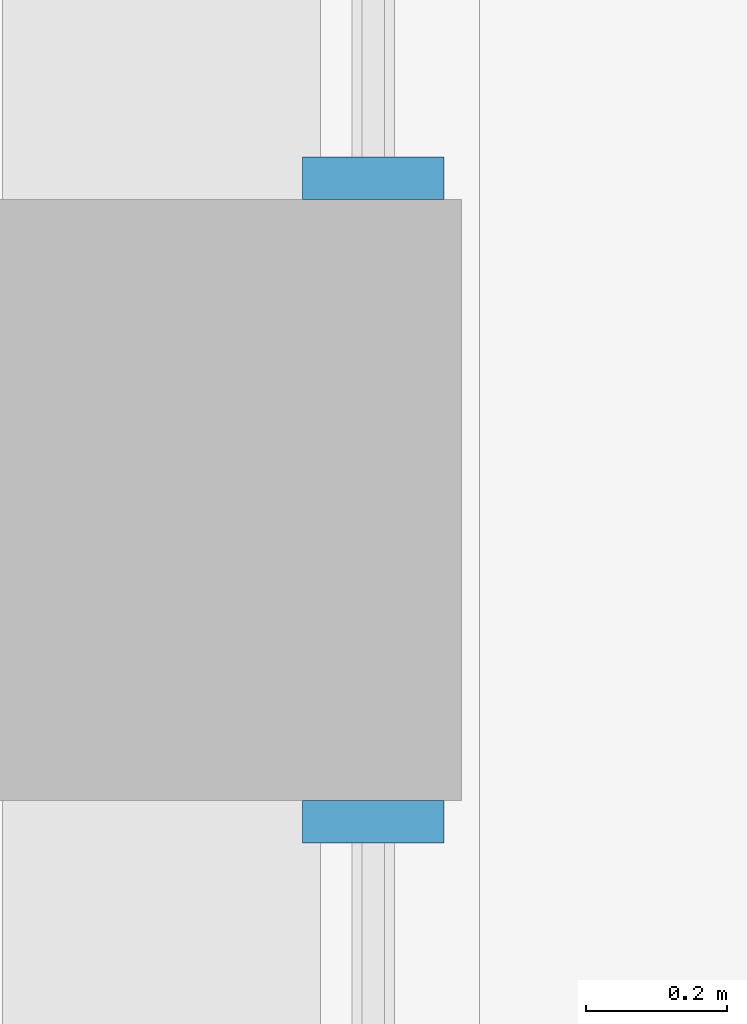
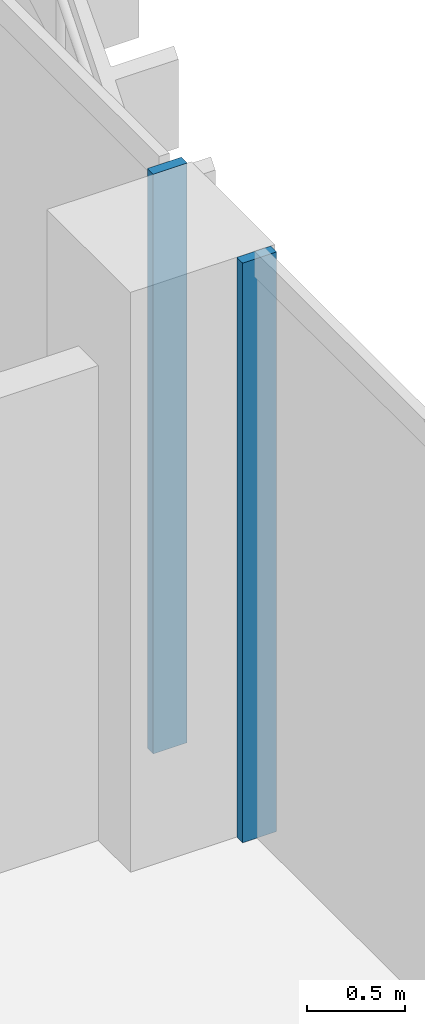
# One storey, part 6 of 19: 2 members, 2 elements without a shape of their own.
"""IFC4 building model written with IfcOpenShell, lengths in metres."""

from ifc_helpers import new_model, si_unit, direction, frame, origin, origin_2d, place, context, subcontext, project, spatial, rectangle, extrude, source, transform, mapped, material, material_profile, profile_set, type_object, element, aggregate, save


model = new_model("IFC4")

# Units and contexts
model_context = context("Model", 3, precision=1e-05, world=origin(), true_north=direction((0.0, 1.0)))
body_context = subcontext(model_context, "Body", "Model", "MODEL_VIEW")
ifc_project = project(units=[si_unit("LENGTHUNIT", "METRE"), si_unit("AREAUNIT", "SQUARE_METRE"), si_unit("VOLUMEUNIT", "CUBIC_METRE"), si_unit("PLANEANGLEUNIT", "RADIAN"), si_unit("MASSUNIT", "GRAM", prefix="KILO")], contexts=[model_context])

# Site, building, storey
site_placement = place(None, origin())
site = spatial("IfcSite", under=ifc_project, at=site_placement, CompositionType="ELEMENT")
building_placement = place(site_placement, origin())
building = spatial("IfcBuilding", under=site, at=building_placement, Name="Kilnfold Tower and Market Hall", CompositionType="ELEMENT")
storey_placement = place(building_placement, frame((0.0, 0.0, 124.60009765625)))
storey = spatial("IfcBuildingStorey", under=building, at=storey_placement, Name="L29", CompositionType="ELEMENT", Elevation=124.60009765625)

# Curtain wall, member
ifc_material_1 = material(Name="Aluminium and double glazing", Category="aluminium")
curtain_wall_type = type_object("IfcCurtainWallType", Name="CW OF2 VALLEY GLAZING", PredefinedType="NOTDEFINED", material=ifc_material_1)
curtain_wall_1_placement = place(storey_placement, origin())
curtain_wall_1 = element("IfcCurtainWall", 1, at=curtain_wall_1_placement, inside=storey, type_object=curtain_wall_type, Name="Curtain wall CW2 L29 E", PredefinedType="NOTDEFINED")
ifc_material_2 = material(Name="Aluminium", Category="aluminium")
ifc_material_profile = material_profile(ifc_material_2, rectangle(XDim=0.06005859375, YDim=0.199951171875, at=origin_2d()), Name="MULLION 60x200")
ifc_profile_set = profile_set([ifc_material_profile], Name="Aluminium")
member_type = type_object("IfcMemberType", Name="MULLION 60X200", PredefinedType="MULLION", material=ifc_profile_set)
shared_shape = source(origin(), body_context, "Body", "SweptSolid", [
    extrude(rectangle(XDim=0.06005859375, YDim=0.199951171875, at=origin_2d()), origin(), (0.0, 0.0, 1.0), 3.599853515625),
])
member_1_placement = place(storey_placement, frame((32.85009765625, 7.544921875, 0.0), z_axis=(0.0, 0.0, 1.0), x_axis=(0.0, 1.0, 0.0)))
member_1 = element("IfcMember", 2, at=member_1_placement, type_object=member_type, Name="CW2 mullion 2", PredefinedType="MULLION", context=body_context, shape_type="MappedRepresentation", body=[
    mapped(shared_shape, transform((0.0, 0.0, 0.0))),
])
aggregate(curtain_wall_1, [member_1])

curtain_wall_2_placement = place(storey_placement, origin())
curtain_wall_2 = element("IfcCurtainWall", 3, at=curtain_wall_2_placement, inside=storey, type_object=curtain_wall_type, Name="Curtain wall CW2 L29 E", PredefinedType="NOTDEFINED")
member_2_placement = place(storey_placement, frame((32.85009765625, 8.455078125, 0.0), z_axis=(0.0, 0.0, 1.0), x_axis=(0.0, 1.0, 0.0)))
member_2 = element("IfcMember", 4, at=member_2_placement, type_object=member_type, Name="CW2 mullion 1", PredefinedType="MULLION", context=body_context, shape_type="MappedRepresentation", body=[
    mapped(shared_shape, transform((0.0, 0.0, 0.0))),
])
aggregate(curtain_wall_2, [member_2])

save(model, "model.ifc")
